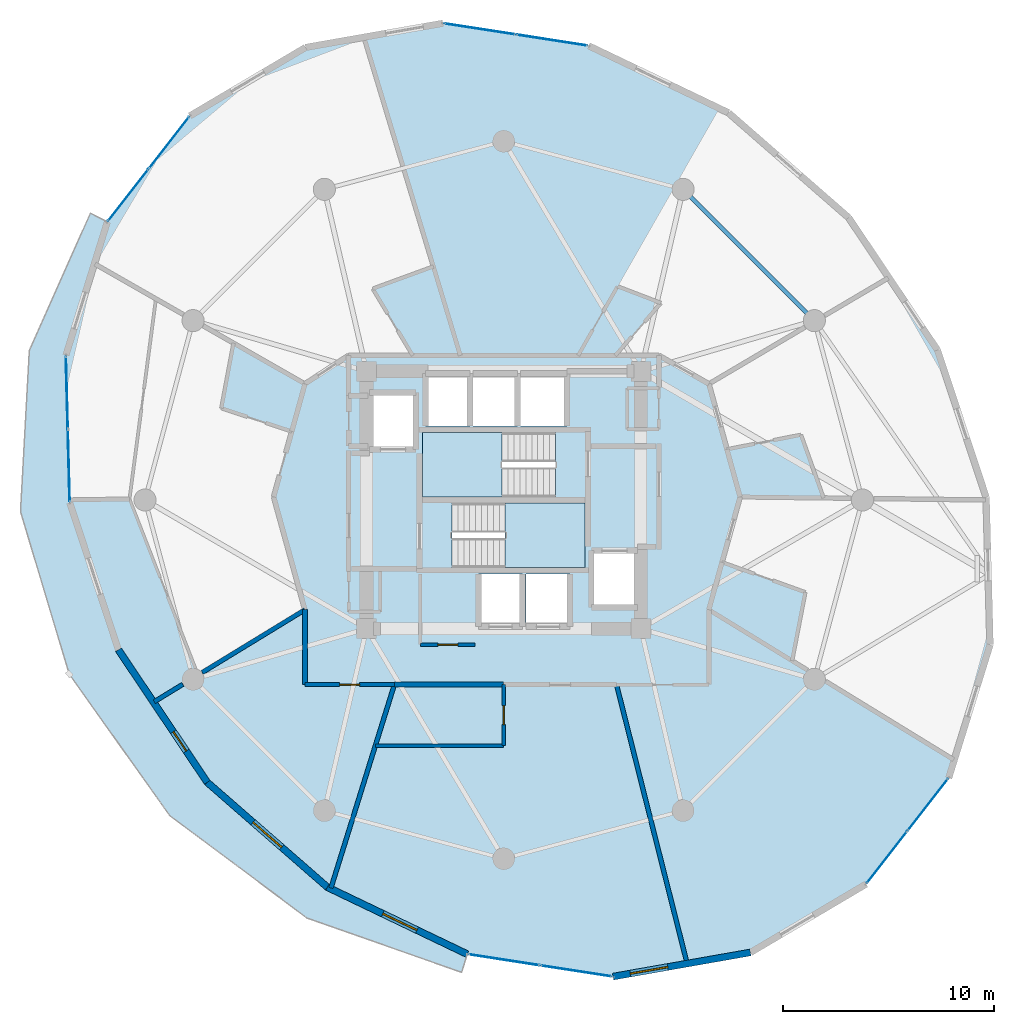
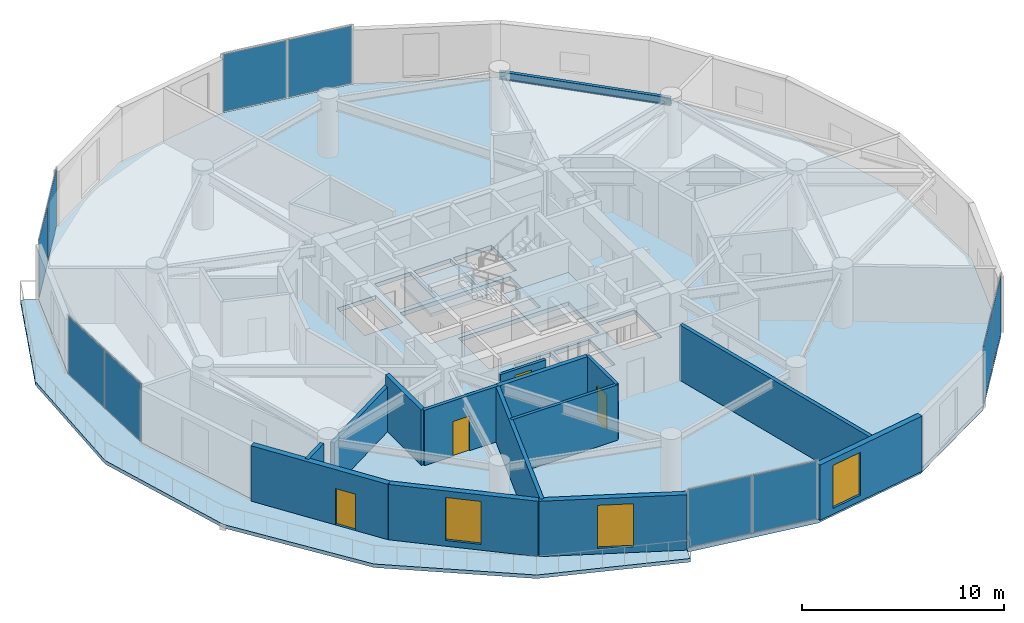
# One storey, part 14 of 20: 14 walls, 10 plates, 4 doors, 4 slabs, 3 windows, 1 beam, 7 openings, 7 elements without a shape of their own.
"""IFC4 building model written with IfcOpenShell, lengths in metres."""

from ifc_helpers import new_model, si_unit, direction, frame, frame_2d, origin, origin_2d, place, context, subcontext, project, spatial, polyline, rectangle, i_section, outline, extrude, source, transform, mapped, material, layer, layer_set, material_profile, profile_set, type_object, element, fill, aggregate, save


model = new_model("IFC4")

# Units and contexts
model_context = context("Model", 3, precision=1e-05, world=origin(), true_north=direction((0.0, 1.0)))
body_context = subcontext(model_context, "Body", "Model", "MODEL_VIEW")
ifc_project = project(units=[si_unit("LENGTHUNIT", "METRE"), si_unit("AREAUNIT", "SQUARE_METRE"), si_unit("VOLUMEUNIT", "CUBIC_METRE"), si_unit("PLANEANGLEUNIT", "RADIAN"), si_unit("MASSUNIT", "GRAM", prefix="KILO")], contexts=[model_context])

# Site, building, storey
site_placement = place(None, origin())
site = spatial("IfcSite", under=ifc_project, at=site_placement, CompositionType="ELEMENT")
building_placement = place(site_placement, origin())
building = spatial("IfcBuilding", under=site, at=building_placement, Name="Solvirekh Grand Hotel", CompositionType="ELEMENT")
storey_placement = place(building_placement, frame((0.0, 0.0, 156.60009765625)))
storey = spatial("IfcBuildingStorey", under=building, at=storey_placement, Name="L40", CompositionType="ELEMENT", Elevation=156.60009765625)

# Beam
ifc_material_1 = material(Name="Steel S355", Category="steel")
ifc_material_profile = material_profile(ifc_material_1, i_section(OverallWidth=0.18994140625, OverallDepth=0.45703125, WebThickness=0.009033203125, FlangeThickness=0.013916015625, FilletRadius=0.012939453125, at=origin_2d()), Name="W460X74")
ifc_profile_set = profile_set([ifc_material_profile], Name="Steel S355")
beam_type = type_object("IfcBeamType", Name="Spandrel_Ring_W460", PredefinedType="SPANDREL", material=ifc_profile_set)
beam_placement = place(storey_placement, frame((14.721923828125, 8.5, 3.120849609375), z_axis=(-0.707106781187, 0.707106781187, 0.0), x_axis=(-0.707106781187, -0.707106781187, 0.0)))
element("IfcBeam", 1, at=beam_placement, inside=storey, type_object=beam_type, Name="L40 perimeter spandrel beam 2", PredefinedType="SPANDREL", context=body_context, shape_type="SweptSolid", body=[
    extrude(i_section(OverallWidth=0.18994140625, OverallDepth=0.45703125, WebThickness=0.009033203125, FlangeThickness=0.013916015625, FilletRadius=0.012939453125, at=origin_2d()), origin(), (0.0, 0.0, 1.0), 8.799072265625),
])

# Slab
ifc_material_2 = material(Name="Concrete C50/60", Category="concrete")
ifc_layer_1 = layer(ifc_material_2, 0.215087890625)
ifc_layer_set_1 = layer_set([ifc_layer_1], Name="Concrete C50/60")
slab_type_1 = type_object("IfcSlabType", Name="ExtCrescentBalc_215", PredefinedType="FLOOR", material=ifc_layer_set_1)
slab_1_placement = place(storey_placement, frame((0.0, 0.0, -0.215087890625)))
element("IfcSlab", 2, at=slab_1_placement, inside=storey, type_object=slab_type_1, Name="L40 sweeping crescent balcony slab", PredefinedType="FLOOR", context=body_context, shape_type="SweptSolid", body=[
    extrude(outline(polyline([(-19.5859375, 13.589111328125), (-22.48193359375, 7.092041015625), (-22.89990234375, -0.5439453125), (-20.590087890625, -8.2490234375), (-15.830078125, -14.948974609375), (-9.318115234375, -19.81103515625), (-1.9970703125, -22.383056640625), (-1.72802734375, -21.52392578125), (-8.35302734375, -18.35107421875), (-14.049072265625, -13.381103515625), (-18.257080078125, -7.10205078125), (-20.56494140625, -0.126953125), (-20.748046875, 6.860107421875), (-18.787109375, 13.176025390625), (-19.5859375, 13.589111328125)])), origin(), (0.0, 0.0, 1.0), 0.215087890625),
])

# Stair, slab
ifc_material_3 = material(Name="Concrete C40/50", Category="concrete")
stair_type = type_object("IfcStairType", Name="Stair_Core_1450", PredefinedType="HALF_TURN_STAIR", material=ifc_material_3)
stair_1_placement = place(storey_placement, origin())
stair_1 = element("IfcStair", 3, at=stair_1_placement, inside=storey, type_object=stair_type, Name="L40 Enclosed exit stair ST-1", PredefinedType="HALF_TURN_STAIR")
ifc_layer_2 = layer(ifc_material_3, 0.199951171875)
ifc_layer_set_2 = layer_set([ifc_layer_2], Name="Concrete C40/50")
slab_type_2 = type_object("IfcSlabType", Name="Landing_Stair_200", PredefinedType="LANDING", material=ifc_layer_set_2)
slab_2_placement = place(storey_placement, frame((0.0, 0.0, 1.599853515625)))
slab_2 = element("IfcSlab", 4, at=slab_2_placement, type_object=slab_type_2, Name="ST-1 landing 1", PredefinedType="LANDING", context=body_context, shape_type="SweptSolid", body=[
    extrude(outline(polyline([(0.070068359375, -3.199951171875), (3.85009765625, -3.199951171875), (3.85009765625, -0.14990234375), (0.070068359375, -0.14990234375), (0.070068359375, -3.199951171875)])), origin(), (0.0, 0.0, 1.0), 0.199951171875),
])
aggregate(stair_1, [slab_2])

stair_2_placement = place(storey_placement, origin())
stair_2 = element("IfcStair", 5, at=stair_2_placement, inside=storey, type_object=stair_type, Name="L40 Enclosed exit stair ST-2", PredefinedType="HALF_TURN_STAIR")
slab_3_placement = place(storey_placement, frame((0.0, 0.0, 1.599853515625)))
slab_3 = element("IfcSlab", 6, at=slab_3_placement, type_object=slab_type_2, Name="ST-2 landing 1", PredefinedType="LANDING", context=body_context, shape_type="SweptSolid", body=[
    extrude(outline(polyline([(-0.070068359375, 3.199951171875), (-3.85009765625, 3.199951171875), (-3.85009765625, 0.14990234375), (-0.070068359375, 0.14990234375), (-0.070068359375, 3.199951171875)])), origin(), (0.0, 0.0, 1.0), 0.199951171875),
])
aggregate(stair_2, [slab_3])

# Slab
ifc_layer_3 = layer(ifc_material_2, 0.25)
ifc_layer_set_3 = layer_set([ifc_layer_3], Name="Concrete C50/60")
slab_type_3 = type_object("IfcSlabType", Name="Slab_GuestZ2_250", PredefinedType="FLOOR", material=ifc_layer_set_3)
slab_4_placement = place(storey_placement, frame((0.0, 0.0, -0.25)))
element("IfcSlab", 7, at=slab_4_placement, inside=storey, type_object=slab_type_3, Name="L40 structural floor slab", PredefinedType="FLOOR", context=body_context, shape_type="SweptSolid", body=[
    extrude(outline(polyline([(17.174072265625, -18.200927734375), (21.0869140625, -13.176025390625), (23.048095703125, -6.860107421875), (22.864990234375, 0.126953125), (20.556884765625, 7.10205078125), (16.34912109375, 13.381103515625), (10.653076171875, 18.35107421875), (4.028076171875, 21.52392578125), (-2.8798828125, 22.590087890625), (-9.39306640625, 21.445068359375), (-14.8740234375, 18.200927734375), (-18.787109375, 13.176025390625), (-20.748046875, 6.860107421875), (-20.56494140625, -0.126953125), (-18.257080078125, -7.10205078125), (-14.049072265625, -13.381103515625), (-8.35302734375, -18.35107421875), (-1.72802734375, -21.52392578125), (5.179931640625, -22.590087890625), (11.693115234375, -21.445068359375), (17.174072265625, -18.200927734375)]), holes=[polyline([(-2.444091796875, -0.14990234375), (3.85009765625, -0.14990234375), (3.85009765625, -3.199951171875), (-2.444091796875, -3.199951171875), (-2.444091796875, -0.14990234375)]), polyline([(2.444091796875, 0.14990234375), (-3.85009765625, 0.14990234375), (-3.85009765625, 3.199951171875), (2.444091796875, 3.199951171875), (2.444091796875, 0.14990234375)]), polyline([(-1.199951171875, -3.5), (0.89990234375, -3.5), (0.89990234375, -6.0), (-1.199951171875, -6.0), (-1.199951171875, -3.5)]), polyline([(1.050048828125, -3.5), (3.14990234375, -3.5), (3.14990234375, -6.0), (1.050048828125, -6.0), (1.050048828125, -3.5)]), polyline([(-3.699951171875, 6.0), (-1.60009765625, 6.0), (-1.60009765625, 3.5), (-3.699951171875, 3.5), (-3.699951171875, 6.0)]), polyline([(-1.449951171875, 6.0), (0.64990234375, 6.0), (0.64990234375, 3.5), (-1.449951171875, 3.5), (-1.449951171875, 6.0)]), polyline([(0.800048828125, 6.0), (3.0, 6.0), (3.0, 3.5), (0.800048828125, 3.5), (0.800048828125, 6.0)]), polyline([(-6.35009765625, 5.10009765625), (-4.14990234375, 5.10009765625), (-4.14990234375, 2.39990234375), (-6.35009765625, 2.39990234375), (-6.35009765625, 5.10009765625)]), polyline([(4.14990234375, -2.39990234375), (6.35009765625, -2.39990234375), (6.35009765625, -5.10009765625), (4.14990234375, -5.10009765625), (4.14990234375, -2.39990234375)])]), origin(), (0.0, 0.0, 1.0), 0.25),
])

# Curtain wall, plates
ifc_material_4 = material(Name="Anodized Bronze Aluminium 6063-T6", Category="aluminium")
ifc_layer_4 = layer(ifc_material_4, 0.175048828125)
ifc_layer_set_4 = layer_set([ifc_layer_4], Name="Anodized Bronze Aluminium 6063-T6")
curtain_wall_type = type_object("IfcCurtainWallType", Name="CW_Sys3_MidZoneFlushBronzeCW", PredefinedType="NOTDEFINED", material=ifc_layer_set_4)
curtain_wall_1_placement = place(storey_placement, origin())
curtain_wall_1 = element("IfcCurtainWall", 8, at=curtain_wall_1_placement, inside=storey, type_object=curtain_wall_type, Name="L40 unitised bronze-glass curtain wall CW-L40-C13", PredefinedType="NOTDEFINED")
ifc_material_5 = material(Name="Low-E Tinted Bronze Laminated Glass", Category="aluminium")
ifc_layer_5 = layer(ifc_material_5, 0.035888671875)
ifc_layer_set_5 = layer_set([ifc_layer_5], Name="Low-E Tinted Bronze Laminated Glass")
plate_type = type_object("IfcPlateType", Name="CWPanel_Mid_36", PredefinedType="CURTAIN_PANEL", material=ifc_layer_set_5)
shared_shape_1 = source(origin(), body_context, "Body", "SweptSolid", [
    extrude(rectangle(XDim=3.397216796875, YDim=0.035888671875, at=origin_2d()), origin(), (0.0, 0.0, 1.0), 3.489990234375),
])
plate_1_placement = place(storey_placement, frame((-20.701904296875, 5.096923828125, 0.0546875), z_axis=(0.0, 0.0, 1.0), x_axis=(0.026182519496, -0.999657179073, 0.0)))
plate_1 = element("IfcPlate", 9, at=plate_1_placement, type_object=plate_type, Name="U03 panel 1.1", PredefinedType="CURTAIN_PANEL", context=body_context, shape_type="MappedRepresentation", body=[
    mapped(shared_shape_1, transform((0.0, 0.0, 0.0), x_axis=(1.0, 0.0, 0.0), y_axis=(0.0, 1.0, 0.0), z_axis=(0.0, 0.0, 1.0), scale=1.0)),
])
plate_2_placement = place(storey_placement, frame((-20.611083984375, 1.635986328125, 0.0546875), z_axis=(0.0, 0.0, 1.0), x_axis=(0.026182519496, -0.999657179073, 0.0)))
plate_2 = element("IfcPlate", 10, at=plate_2_placement, type_object=plate_type, Name="U03 panel 2.1", PredefinedType="CURTAIN_PANEL", context=body_context, shape_type="MappedRepresentation", body=[
    mapped(shared_shape_1, transform((0.0, 0.0, 0.0), x_axis=(1.0, 0.0, 0.0), y_axis=(0.0, 1.0, 0.0), z_axis=(0.0, 0.0, 1.0), scale=1.0)),
])
aggregate(curtain_wall_1, [plate_1, plate_2])

curtain_wall_2_placement = place(storey_placement, origin())
curtain_wall_2 = element("IfcCurtainWall", 11, at=curtain_wall_2_placement, inside=storey, type_object=curtain_wall_type, Name="L40 unitised bronze-glass curtain wall CW-L40-C08", PredefinedType="NOTDEFINED")
shared_shape_2 = source(origin(), body_context, "Body", "SweptSolid", [
    extrude(rectangle(XDim=3.3974609375, YDim=0.035888671875, at=origin_2d()), origin(), (0.0, 0.0, 1.0), 3.489990234375),
])
plate_3_placement = place(storey_placement, frame((2.284912109375, 21.79296875, 0.0546875), z_axis=(0.0, 0.0, 1.0), x_axis=(-0.988302128787, 0.152508695606, 0.0)))
plate_3 = element("IfcPlate", 12, at=plate_3_placement, type_object=plate_type, Name="U03 panel 1.1", PredefinedType="CURTAIN_PANEL", context=body_context, shape_type="MappedRepresentation", body=[
    mapped(shared_shape_2, transform((0.0, 0.0, 0.0), x_axis=(1.0, 0.0, 0.0), y_axis=(0.0, 1.0, 0.0), z_axis=(0.0, 0.0, 1.0), scale=1.0)),
])
plate_4_placement = place(storey_placement, frame((-1.136962890625, 22.321044921875, 0.0546875), z_axis=(0.0, 0.0, 1.0), x_axis=(-0.988302128787, 0.152508695606, 0.0)))
plate_4 = element("IfcPlate", 13, at=plate_4_placement, type_object=plate_type, Name="U03 panel 2.1", PredefinedType="CURTAIN_PANEL", context=body_context, shape_type="MappedRepresentation", body=[
    mapped(shared_shape_2, transform((0.0, 0.0, 0.0), x_axis=(1.0, 0.0, 0.0), y_axis=(0.0, 1.0, 0.0), z_axis=(0.0, 0.0, 1.0), scale=1.0)),
])
aggregate(curtain_wall_2, [plate_3, plate_4])

curtain_wall_3_placement = place(storey_placement, origin())
curtain_wall_3 = element("IfcCurtainWall", 14, at=curtain_wall_3_placement, inside=storey, type_object=curtain_wall_type, Name="L40 unitised bronze-glass curtain wall CW-L40-C18", PredefinedType="NOTDEFINED")
plate_5_placement = place(storey_placement, frame((0.01513671875, -21.79296875, 0.0546875), z_axis=(0.0, 0.0, 1.0), x_axis=(0.988302128787, -0.152508695606, 0.0)))
plate_5 = element("IfcPlate", 15, at=plate_5_placement, type_object=plate_type, Name="U03 panel 1.1", PredefinedType="CURTAIN_PANEL", context=body_context, shape_type="MappedRepresentation", body=[
    mapped(shared_shape_2, transform((0.0, 0.0, 0.0), x_axis=(1.0, 0.0, 0.0), y_axis=(0.0, 1.0, 0.0), z_axis=(0.0, 0.0, 1.0), scale=1.0)),
])
plate_6_placement = place(storey_placement, frame((3.43701171875, -22.321044921875, 0.0546875), z_axis=(0.0, 0.0, 1.0), x_axis=(0.988302128787, -0.152508695606, 0.0)))
plate_6 = element("IfcPlate", 16, at=plate_6_placement, type_object=plate_type, Name="U03 panel 2.1", PredefinedType="CURTAIN_PANEL", context=body_context, shape_type="MappedRepresentation", body=[
    mapped(shared_shape_2, transform((0.0, 0.0, 0.0), x_axis=(1.0, 0.0, 0.0), y_axis=(0.0, 1.0, 0.0), z_axis=(0.0, 0.0, 1.0), scale=1.0)),
])
aggregate(curtain_wall_3, [plate_5, plate_6])

curtain_wall_4_placement = place(storey_placement, origin())
curtain_wall_4 = element("IfcCurtainWall", 17, at=curtain_wall_4_placement, inside=storey, type_object=curtain_wall_type, Name="L40 unitised bronze-glass curtain wall CW-L40-C01", PredefinedType="NOTDEFINED")
shared_shape_3 = source(origin(), body_context, "Body", "SweptSolid", [
    extrude(rectangle(XDim=3.0869140625, YDim=0.035888671875, at=origin_2d()), origin(), (0.0, 0.0, 1.0), 3.489990234375),
])
plate_7_placement = place(storey_placement, frame((18.162353515625, -16.931884765625, 0.0546875), z_axis=(0.0, 0.0, 1.0), x_axis=(0.614397060177, 0.788996991404, 0.0)))
plate_7 = element("IfcPlate", 18, at=plate_7_placement, type_object=plate_type, Name="U03 panel 1.1", PredefinedType="CURTAIN_PANEL", context=body_context, shape_type="MappedRepresentation", body=[
    mapped(shared_shape_3, transform((0.0, 0.0, 0.0), x_axis=(1.0, 0.0, 0.0), y_axis=(0.0, 1.0, 0.0), z_axis=(0.0, 0.0, 1.0), scale=1.0)),
])
plate_8_placement = place(storey_placement, frame((20.098876953125, -14.445068359375, 0.0546875), z_axis=(0.0, 0.0, 1.0), x_axis=(0.614397060177, 0.788996991404, 0.0)))
plate_8 = element("IfcPlate", 19, at=plate_8_placement, type_object=plate_type, Name="U03 panel 2.1", PredefinedType="CURTAIN_PANEL", context=body_context, shape_type="MappedRepresentation", body=[
    mapped(shared_shape_3, transform((0.0, 0.0, 0.0), x_axis=(1.0, 0.0, 0.0), y_axis=(0.0, 1.0, 0.0), z_axis=(0.0, 0.0, 1.0), scale=1.0)),
])
aggregate(curtain_wall_4, [plate_7, plate_8])

curtain_wall_5_placement = place(storey_placement, origin())
curtain_wall_5 = element("IfcCurtainWall", 20, at=curtain_wall_5_placement, inside=storey, type_object=curtain_wall_type, Name="L40 unitised bronze-glass curtain wall CW-L40-C11", PredefinedType="NOTDEFINED")
plate_9_placement = place(storey_placement, frame((-15.8623046875, 16.931884765625, 0.0546875), z_axis=(0.0, 0.0, 1.0), x_axis=(-0.614397060177, -0.788996991404, 0.0)))
plate_9 = element("IfcPlate", 21, at=plate_9_placement, type_object=plate_type, Name="U03 panel 1.1", PredefinedType="CURTAIN_PANEL", context=body_context, shape_type="MappedRepresentation", body=[
    mapped(shared_shape_3, transform((0.0, 0.0, 0.0), x_axis=(1.0, 0.0, 0.0), y_axis=(0.0, 1.0, 0.0), z_axis=(0.0, 0.0, 1.0), scale=1.0)),
])
plate_10_placement = place(storey_placement, frame((-17.798828125, 14.445068359375, 0.0546875), z_axis=(0.0, 0.0, 1.0), x_axis=(-0.614397060177, -0.788996991404, 0.0)))
plate_10 = element("IfcPlate", 22, at=plate_10_placement, type_object=plate_type, Name="U03 panel 2.1", PredefinedType="CURTAIN_PANEL", context=body_context, shape_type="MappedRepresentation", body=[
    mapped(shared_shape_3, transform((0.0, 0.0, 0.0), x_axis=(1.0, 0.0, 0.0), y_axis=(0.0, 1.0, 0.0), z_axis=(0.0, 0.0, 1.0), scale=1.0)),
])
aggregate(curtain_wall_5, [plate_9, plate_10])

# Wall, opening, door
ifc_material_6 = material(Name="Precast concrete C45/55", Category="concrete")
ifc_layer_6 = layer(ifc_material_6, 0.320068359375)
ifc_layer_set_6 = layer_set([ifc_layer_6], Name="Precast concrete C45/55")
wall_type_1 = type_object("IfcWallType", Name="ExtLobbyWall_RC320", PredefinedType="SOLIDWALL", material=ifc_layer_set_6)
wall_1_placement = place(storey_placement, frame((-14.049072265625, -13.381103515625, 0.0), z_axis=(0.0, 0.0, 1.0), x_axis=(-0.556711069725, 0.830706196465, 0.0)))
wall_1 = element("IfcWall", 23, at=wall_1_placement, inside=storey, type_object=wall_type_1, Name="L40 exterior structural wall chord 15", PredefinedType="SOLIDWALL", context=body_context, shape_type="SweptSolid", body=[
    extrude(rectangle(XDim=7.55859375, YDim=0.320068359375, at=frame_2d((3.779296875, 0.0))), origin(), (0.0, 0.0, 1.0), 3.349853515625),
])
opening_1_placement = place(wall_1_placement, frame((1.785888671875, 0.0, 0.0)))
opening_1 = element("IfcOpeningElement", 24, at=opening_1_placement, cuts=wall_1, Name="Opening D03", PredefinedType="OPENING", context=body_context, shape_type="SweptSolid", body=[
    extrude(rectangle(XDim=1.10009765625, YDim=2.199951171875, at=frame_2d((0.550048828125, 1.10009765625))), frame((0.0, 0.169921875, 0.0), z_axis=(0.0, -1.0, 0.0), x_axis=(1.0, 0.0, 0.0)), (0.0, 0.0, 1.0), 0.340087890625),
])
door_type_1 = type_object("IfcDoorType", Name="Door_ExtBalcony_1100X2200", OperationType="NOTDEFINED", PredefinedType="DOOR", material=ifc_material_4)
door_1_placement = place(opening_1_placement, origin())
door_1 = element("IfcDoor", 25, at=door_1_placement, inside=storey, type_object=door_type_1, Name="L40 Crescent balcony glazed door (15)", OperationType="SINGLE_SWING_LEFT", OverallHeight=2.199951171875, OverallWidth=1.10009765625, PredefinedType="DOOR", context=body_context, shape_type="SweptSolid", body=[
    extrude(rectangle(XDim=1.10009765625, YDim=2.199951171875, at=frame_2d((0.550048828125, 1.10009765625))), frame((0.0, 0.02490234375, 0.0), z_axis=(0.0, -1.0, 0.0), x_axis=(1.0, 0.0, 0.0)), (0.0, 0.0, 1.0), 0.050048828125),
])
fill(opening_1, door_1)

# Wall, opening, window
wall_2_placement = place(storey_placement, frame((-8.35302734375, -18.35107421875, 0.0), z_axis=(0.0, 0.0, 1.0), x_axis=(-0.753498250632, 0.657449911624, 0.0)))
wall_2 = element("IfcWall", 26, at=wall_2_placement, inside=storey, type_object=wall_type_1, Name="L40 exterior structural wall chord 16", PredefinedType="SOLIDWALL", context=body_context, shape_type="SweptSolid", body=[
    extrude(rectangle(XDim=7.5595703125, YDim=0.320068359375, at=frame_2d((3.77978515625, 0.0))), origin(), (0.0, 0.0, 1.0), 3.349853515625),
])
opening_2_placement = place(wall_2_placement, frame((2.8798828125, 0.0, 0.35009765625)))
opening_2 = element("IfcOpeningElement", 27, at=opening_2_placement, cuts=wall_2, Name="Opening W02", PredefinedType="OPENING", context=body_context, shape_type="SweptSolid", body=[
    extrude(rectangle(XDim=1.800048828125, YDim=2.60009765625, at=frame_2d((0.89990234375, 1.300048828125))), frame((0.0, 0.169921875, 0.0), z_axis=(0.0, -1.0, 0.0), x_axis=(1.0, 0.0, 0.0)), (0.0, 0.0, 1.0), 0.340087890625),
])
window_type = type_object("IfcWindowType", Name="Win_LobbyExt_1800X2600", PartitioningType="SINGLE_PANEL", PredefinedType="WINDOW", material=ifc_material_5)
window_1_placement = place(opening_2_placement, origin())
window_1 = element("IfcWindow", 28, at=window_1_placement, inside=storey, type_object=window_type, Name="L40 panoramic bronze-framed window 16", OverallHeight=2.60009765625, OverallWidth=1.800048828125, PartitioningType="SINGLE_PANEL", PredefinedType="WINDOW", context=body_context, shape_type="SweptSolid", body=[
    extrude(rectangle(XDim=1.800048828125, YDim=2.60009765625, at=frame_2d((0.89990234375, 1.300048828125))), frame((0.0, 0.030029296875, 0.0), z_axis=(0.0, -1.0, 0.0), x_axis=(1.0, 0.0, 0.0)), (0.0, 0.0, 1.0), 0.06005859375),
])
fill(opening_2, window_1)

wall_3_placement = place(storey_placement, frame((-1.72802734375, -21.52392578125, 0.0), z_axis=(0.0, 0.0, 1.0), x_axis=(-0.901902357259, 0.431939970332, 0.0)))
wall_3 = element("IfcWall", 29, at=wall_3_placement, inside=storey, type_object=wall_type_1, Name="L40 exterior structural wall chord 17", PredefinedType="SOLIDWALL", context=body_context, shape_type="SweptSolid", body=[
    extrude(rectangle(XDim=7.345703125, YDim=0.320068359375, at=frame_2d((3.6728515625, 0.0))), origin(), (0.0, 0.0, 1.0), 3.349853515625),
])
opening_3_placement = place(wall_3_placement, frame((2.639892578125, 0.0, 0.35009765625)))
opening_3 = element("IfcOpeningElement", 30, at=opening_3_placement, cuts=wall_3, Name="Opening W02", PredefinedType="OPENING", context=body_context, shape_type="SweptSolid", body=[
    extrude(rectangle(XDim=1.800048828125, YDim=2.60009765625, at=frame_2d((0.89990234375, 1.300048828125))), frame((0.0, 0.169921875, 0.0), z_axis=(0.0, -1.0, 0.0), x_axis=(1.0, 0.0, 0.0)), (0.0, 0.0, 1.0), 0.340087890625),
])
window_2_placement = place(opening_3_placement, origin())
window_2 = element("IfcWindow", 31, at=window_2_placement, inside=storey, type_object=window_type, Name="L40 panoramic bronze-framed window 17", OverallHeight=2.60009765625, OverallWidth=1.800048828125, PartitioningType="SINGLE_PANEL", PredefinedType="WINDOW", context=body_context, shape_type="SweptSolid", body=[
    extrude(rectangle(XDim=1.800048828125, YDim=2.60009765625, at=frame_2d((0.89990234375, 1.300048828125))), frame((0.0, 0.030029296875, 0.0), z_axis=(0.0, -1.0, 0.0), x_axis=(1.0, 0.0, 0.0)), (0.0, 0.0, 1.0), 0.06005859375),
])
fill(opening_3, window_2)

wall_4_placement = place(storey_placement, frame((11.693115234375, -21.445068359375, 0.0), z_axis=(0.0, 0.0, 1.0), x_axis=(-0.984896334406, -0.173145056165, 0.0)))
wall_4 = element("IfcWall", 32, at=wall_4_placement, inside=storey, type_object=wall_type_1, Name="L40 exterior structural wall chord 19", PredefinedType="SOLIDWALL", context=body_context, shape_type="SweptSolid", body=[
    extrude(rectangle(XDim=6.613037109375, YDim=0.320068359375, at=frame_2d((3.306640625, 0.0))), origin(), (0.0, 0.0, 1.0), 3.349853515625),
])
opening_4_placement = place(wall_4_placement, frame((3.98095703125, 0.0, 0.35009765625)))
opening_4 = element("IfcOpeningElement", 33, at=opening_4_placement, cuts=wall_4, Name="Opening W02", PredefinedType="OPENING", context=body_context, shape_type="SweptSolid", body=[
    extrude(rectangle(XDim=1.800048828125, YDim=2.60009765625, at=frame_2d((0.89990234375, 1.300048828125))), frame((0.0, 0.169921875, 0.0), z_axis=(0.0, -1.0, 0.0), x_axis=(1.0, 0.0, 0.0)), (0.0, 0.0, 1.0), 0.340087890625),
])
window_3_placement = place(opening_4_placement, origin())
window_3 = element("IfcWindow", 34, at=window_3_placement, inside=storey, type_object=window_type, Name="L40 panoramic bronze-framed window 19", OverallHeight=2.60009765625, OverallWidth=1.800048828125, PartitioningType="SINGLE_PANEL", PredefinedType="WINDOW", context=body_context, shape_type="SweptSolid", body=[
    extrude(rectangle(XDim=1.800048828125, YDim=2.60009765625, at=frame_2d((0.89990234375, 1.300048828125))), frame((0.0, 0.030029296875, 0.0), z_axis=(0.0, -1.0, 0.0), x_axis=(1.0, 0.0, 0.0)), (0.0, 0.0, 1.0), 0.06005859375),
])
fill(opening_4, window_3)

# Wall, opening, door
ifc_material_7 = material(Name="Acoustic Gypsum Partition Assembly")
ifc_layer_7 = layer(ifc_material_7, 0.1650390625)
ifc_layer_set_7 = layer_set([ifc_layer_7], Name="Acoustic Gypsum Partition Assembly")
wall_type_2 = type_object("IfcWallType", Name="Part_BOH_165", PredefinedType="PARTITIONING", material=ifc_layer_set_7)
wall_5_placement = place(storey_placement, frame((-3.949951171875, -6.85009765625, 0.0), z_axis=(0.0, 0.0, 1.0), x_axis=(1.0, 0.0, 0.0)))
wall_5 = element("IfcWall", 35, at=wall_5_placement, inside=storey, type_object=wall_type_2, Name="L40 Mid-Zone Housekeeping Room wall 1", PredefinedType="PARTITIONING", context=body_context, shape_type="SweptSolid", body=[
    extrude(rectangle(XDim=2.599853515625, YDim=0.1650390625, at=frame_2d((1.2998046875, 0.0))), origin(), (0.0, 0.0, 1.0), 2.434814453125),
])
opening_5_placement = place(wall_5_placement, frame((0.824951171875, 0.0, 0.0)))
opening_5 = element("IfcOpeningElement", 36, at=opening_5_placement, cuts=wall_5, Name="Opening D10", PredefinedType="OPENING", context=body_context, shape_type="SweptSolid", body=[
    extrude(rectangle(XDim=0.949951171875, YDim=2.10009765625, at=frame_2d((0.47509765625, 1.050048828125))), frame((0.0, 0.092529296875, 0.0), z_axis=(0.0, -1.0, 0.0), x_axis=(1.0, 0.0, 0.0)), (0.0, 0.0, 1.0), 0.18505859375),
])
door_type_2 = type_object("IfcDoorType", Name="Door_RoomInt_950X2100", OperationType="NOTDEFINED", PredefinedType="DOOR", material=ifc_material_4)
door_2_placement = place(opening_5_placement, origin())
door_2 = element("IfcDoor", 37, at=door_2_placement, inside=storey, type_object=door_type_2, Name="L40 Mid-Zone Housekeeping Room door", OperationType="SINGLE_SWING_LEFT", OverallHeight=2.10009765625, OverallWidth=0.949951171875, PredefinedType="DOOR", context=body_context, shape_type="SweptSolid", body=[
    extrude(rectangle(XDim=0.949951171875, YDim=2.10009765625, at=frame_2d((0.47509765625, 1.050048828125))), frame((0.0, 0.02490234375, 0.0), z_axis=(0.0, -1.0, 0.0), x_axis=(1.0, 0.0, 0.0)), (0.0, 0.0, 1.0), 0.050048828125),
])
fill(opening_5, door_2)

# Walls
ifc_layer_8 = layer(ifc_material_7, 0.239990234375)
ifc_layer_set_8 = layer_set([ifc_layer_8], Name="Acoustic Gypsum Partition Assembly")
wall_type_3 = type_object("IfcWallType", Name="Part_Corridor_240", PredefinedType="PARTITIONING", material=ifc_layer_set_8)
wall_6_placement = place(storey_placement, frame((-9.419921875, -5.199951171875, 0.0), z_axis=(0.0, 0.0, 1.0), x_axis=(0.0, -1.0, 0.0)))
element("IfcWall", 38, at=wall_6_placement, inside=storey, type_object=wall_type_3, Name="L40 L40 Botanical Tea Atrium corridor wall 1", PredefinedType="PARTITIONING", context=body_context, shape_type="SweptSolid", body=[
    extrude(rectangle(XDim=3.550048828125, YDim=0.239990234375, at=frame_2d((1.77490234375, 0.0))), origin(), (0.0, 0.0, 1.0), 3.349853515625),
])
wall_7_placement = place(storey_placement, frame((-5.180908203125, -8.75, 0.0), z_axis=(0.0, 0.0, 1.0), x_axis=(1.0, 0.0, 0.0)))
element("IfcWall", 39, at=wall_7_placement, inside=storey, type_object=wall_type_3, Name="L40 En-suite Bathroom 4206 corridor backing wall", PredefinedType="PARTITIONING", context=body_context, shape_type="SweptSolid", body=[
    extrude(rectangle(XDim=5.180908203125, YDim=0.239990234375, at=frame_2d((2.59033203125, 0.0))), origin(), (0.0, 0.0, 1.0), 3.349853515625),
])

# Wall, opening, door
ifc_layer_9 = layer(ifc_material_7, 0.18994140625)
ifc_layer_set_9 = layer_set([ifc_layer_9], Name="Acoustic Gypsum Partition Assembly")
wall_type_4 = type_object("IfcWallType", Name="Part_GuestDemise_190", PredefinedType="PARTITIONING", material=ifc_layer_set_9)
wall_8_placement = place(storey_placement, frame((-9.419921875, -8.75, 0.0), z_axis=(0.0, 0.0, 1.0), x_axis=(1.0, 0.0, 0.0)))
wall_8 = element("IfcWall", 40, at=wall_8_placement, inside=storey, type_object=wall_type_4, Name="L40 L40 Botanical Tea Atrium entrance wall", PredefinedType="PARTITIONING", context=body_context, shape_type="SweptSolid", body=[
    extrude(rectangle(XDim=4.239013671875, YDim=0.18994140625, at=frame_2d((2.11962890625, 0.0))), origin(), (0.0, 0.0, 1.0), 3.349853515625),
])
opening_6_placement = place(wall_8_placement, frame((1.64404296875, 0.0, 0.0)))
opening_6 = element("IfcOpeningElement", 41, at=opening_6_placement, cuts=wall_8, Name="Opening D10", PredefinedType="OPENING", context=body_context, shape_type="SweptSolid", body=[
    extrude(rectangle(XDim=0.949951171875, YDim=2.10009765625, at=frame_2d((0.47509765625, 1.050048828125))), frame((0.0, 0.10498046875, 0.0), z_axis=(0.0, -1.0, 0.0), x_axis=(1.0, 0.0, 0.0)), (0.0, 0.0, 1.0), 0.2099609375),
])
door_3_placement = place(opening_6_placement, origin())
door_3 = element("IfcDoor", 42, at=door_3_placement, inside=storey, type_object=door_type_2, Name="L40 L40 Botanical Tea Atrium entrance door", OperationType="SINGLE_SWING_LEFT", OverallHeight=2.10009765625, OverallWidth=0.949951171875, PredefinedType="DOOR", context=body_context, shape_type="SweptSolid", body=[
    extrude(rectangle(XDim=0.949951171875, YDim=2.10009765625, at=frame_2d((0.47509765625, 1.050048828125))), frame((0.0, 0.02490234375, 0.0), z_axis=(0.0, -1.0, 0.0), x_axis=(1.0, 0.0, 0.0)), (0.0, 0.0, 1.0), 0.050048828125),
])
fill(opening_6, door_3)

# Walls
ifc_layer_10 = layer(ifc_material_7, 0.2099609375)
ifc_layer_set_10 = layer_set([ifc_layer_10], Name="Acoustic Gypsum Partition Assembly")
wall_type_5 = type_object("IfcWallType", Name="Part_SuiteDemise_210", PredefinedType="PARTITIONING", material=ifc_layer_set_10)
wall_9_placement = place(storey_placement, frame((-9.419921875, -5.199951171875, 0.0), z_axis=(0.0, 0.0, 1.0), x_axis=(-0.853455334267, -0.521165993146, 0.0)))
element("IfcWall", 43, at=wall_9_placement, inside=storey, type_object=wall_type_5, Name="L40 suite radial wall 8 (A)", PredefinedType="PARTITIONING", context=body_context, shape_type="SweptSolid", body=[
    extrude(rectangle(XDim=5.702880859375, YDim=0.2099609375, at=frame_2d((2.8515625, 0.0))), origin(), (0.0, 0.0, 1.0), 2.716796875),
])
wall_10_placement = place(storey_placement, frame((-15.212890625, -8.737060546875, 0.0), z_axis=(0.0, 0.0, 1.0), x_axis=(-0.853251275715, -0.521500010058, 0.0)))
element("IfcWall", 44, at=wall_10_placement, inside=storey, type_object=wall_type_5, Name="L40 suite radial wall 8 (B)", PredefinedType="PARTITIONING", context=body_context, shape_type="SweptSolid", body=[
    extrude(rectangle(XDim=1.580078125, YDim=0.2099609375, at=frame_2d((0.7900390625, 0.0))), origin(), (0.0, 0.0, 1.0), 3.349853515625),
])
wall_11_placement = place(storey_placement, frame((-5.180908203125, -8.75, 0.0), z_axis=(0.0, 0.0, 1.0), x_axis=(-0.297695182725, -0.954660975521, 0.0)))
element("IfcWall", 45, at=wall_11_placement, inside=storey, type_object=wall_type_5, Name="L40 L40 Botanical Tea Atrium dividing partition 1", PredefinedType="PARTITIONING", context=body_context, shape_type="SweptSolid", body=[
    extrude(rectangle(XDim=10.0947265625, YDim=0.2099609375, at=frame_2d((5.04736328125, 0.0))), origin(), (0.0, 0.0, 1.0), 3.349853515625),
])
wall_12_placement = place(storey_placement, frame((5.345947265625, -8.75, 0.0), z_axis=(0.0, 0.0, 1.0), x_axis=(0.245448987191, -0.969409508251, 0.0)))
element("IfcWall", 46, at=wall_12_placement, inside=storey, type_object=wall_type_5, Name="L40 Deluxe Guestroom 4206 dividing partition 1", PredefinedType="PARTITIONING", context=body_context, shape_type="SweptSolid", body=[
    extrude(rectangle(XDim=13.60009765625, YDim=0.2099609375, at=frame_2d((6.800048828125, 0.0))), origin(), (0.0, 0.0, 1.0), 3.349853515625),
])
ifc_layer_11 = layer(ifc_material_7, 0.175048828125)
ifc_layer_set_11 = layer_set([ifc_layer_11], Name="Acoustic Gypsum Partition Assembly")
wall_type_6 = type_object("IfcWallType", Name="Plumb_Ensuite_175", PredefinedType="PLUMBINGWALL", material=ifc_layer_set_11)
wall_13_placement = place(storey_placement, frame((-6.08203125, -11.64111328125, 0.0), z_axis=(0.0, 0.0, 1.0), x_axis=(1.0, 0.0, 0.0)))
element("IfcWall", 47, at=wall_13_placement, inside=storey, type_object=wall_type_6, Name="L40 En-suite Bathroom 4206 outer plumbing wall", PredefinedType="PLUMBINGWALL", context=body_context, shape_type="SweptSolid", body=[
    extrude(rectangle(XDim=6.08203125, YDim=0.175048828125, at=frame_2d((3.041015625, 0.0))), origin(), (0.0, 0.0, 1.0), 3.349853515625),
])

# Wall, opening, door
wall_14_placement = place(storey_placement, frame((0.0, -8.75, 0.0), z_axis=(0.0, 0.0, 1.0), x_axis=(0.0, -1.0, 0.0)))
wall_14 = element("IfcWall", 48, at=wall_14_placement, inside=storey, type_object=wall_type_6, Name="L40 En-suite Bathroom 4206 entry plumbing wall", PredefinedType="PLUMBINGWALL", context=body_context, shape_type="SweptSolid", body=[
    extrude(rectangle(XDim=2.89111328125, YDim=0.175048828125, at=frame_2d((1.445556640625, 0.0))), origin(), (0.0, 0.0, 1.0), 3.349853515625),
])
opening_7_placement = place(wall_14_placement, frame((0.99609375, 0.0, 0.0)))
opening_7 = element("IfcOpeningElement", 49, at=opening_7_placement, cuts=wall_14, Name="Opening D09", PredefinedType="OPENING", context=body_context, shape_type="SweptSolid", body=[
    extrude(rectangle(XDim=0.89990234375, YDim=2.10009765625, at=frame_2d((0.449951171875, 1.050048828125))), frame((0.0, 0.09765625, 0.0), z_axis=(0.0, -1.0, 0.0), x_axis=(1.0, 0.0, 0.0)), (0.0, 0.0, 1.0), 0.195068359375),
])
door_type_3 = type_object("IfcDoorType", Name="Door_Ensuite_900X2100", OperationType="NOTDEFINED", PredefinedType="DOOR", material=ifc_material_4)
door_4_placement = place(opening_7_placement, origin())
door_4 = element("IfcDoor", 50, at=door_4_placement, inside=storey, type_object=door_type_3, Name="L40 En-suite Bathroom 4206 door", OperationType="SINGLE_SWING_RIGHT", OverallHeight=2.10009765625, OverallWidth=0.89990234375, PredefinedType="DOOR", context=body_context, shape_type="SweptSolid", body=[
    extrude(rectangle(XDim=0.89990234375, YDim=2.10009765625, at=frame_2d((0.449951171875, 1.050048828125))), frame((0.0, 0.02490234375, 0.0), z_axis=(0.0, -1.0, 0.0), x_axis=(1.0, 0.0, 0.0)), (0.0, 0.0, 1.0), 0.050048828125),
])
fill(opening_7, door_4)

save(model, "model.ifc")
